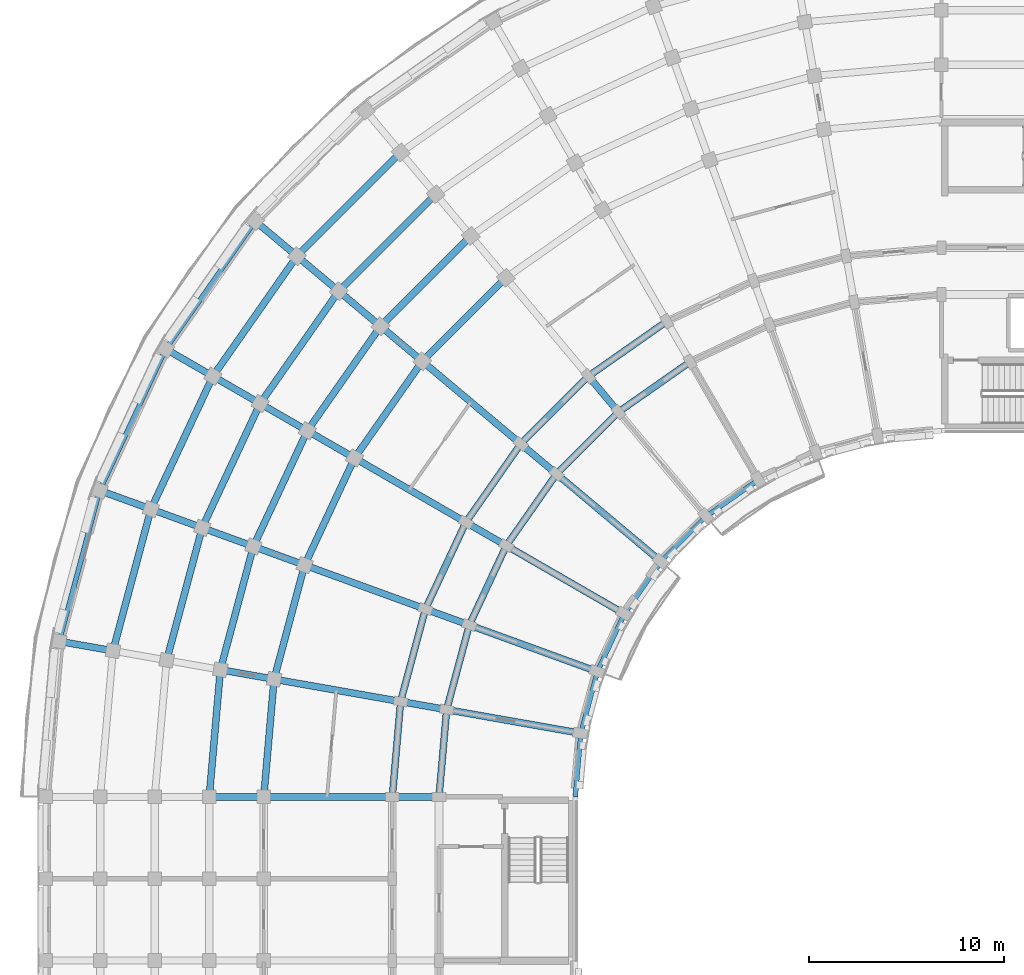
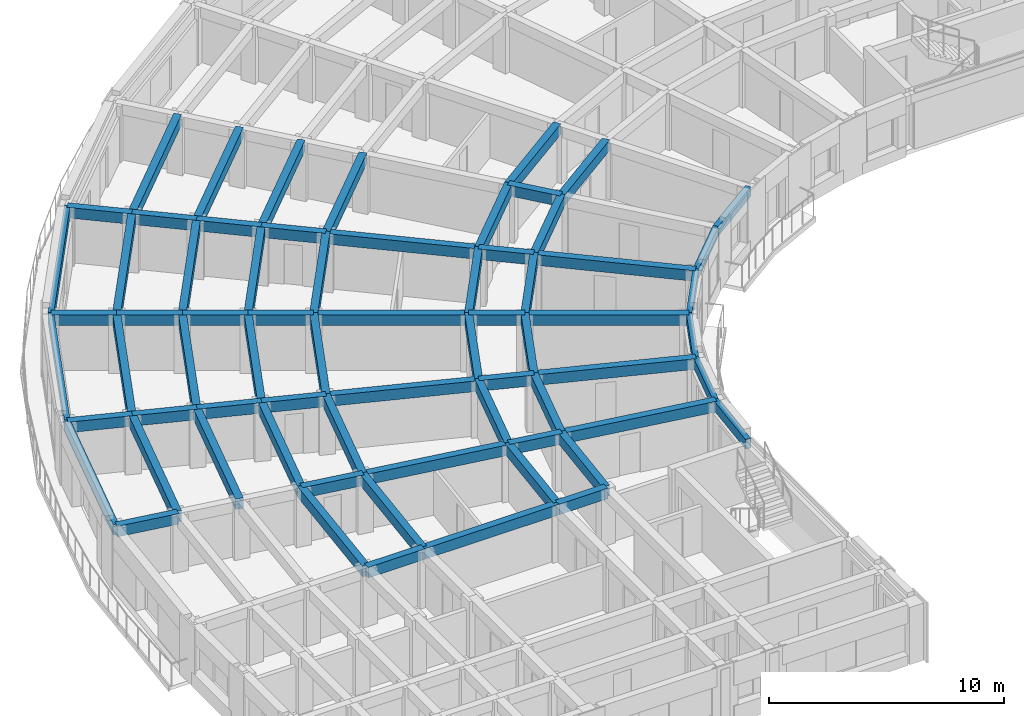
# One storey, part 8 of 57: 69 beams.
"""IFC4 building model written with IfcOpenShell, lengths in metres."""

from ifc_helpers import new_model, si_unit, direction, frame, origin, origin_2d, place, context, subcontext, project, spatial, rectangle, extrude, material, material_profile, profile_set, type_object, element, save


model = new_model("IFC4")

# Units and contexts
model_context = context("Model", 3, precision=1e-05, world=origin(), true_north=direction((0.0, 1.0)))
body_context = subcontext(model_context, "Body", "Model", "MODEL_VIEW")
ifc_project = project(units=[si_unit("LENGTHUNIT", "METRE"), si_unit("AREAUNIT", "SQUARE_METRE"), si_unit("VOLUMEUNIT", "CUBIC_METRE"), si_unit("PLANEANGLEUNIT", "RADIAN"), si_unit("MASSUNIT", "GRAM", prefix="KILO")], contexts=[model_context])

# Site, building, storey
site_placement = place(None, origin())
site = spatial("IfcSite", under=ifc_project, at=site_placement, CompositionType="ELEMENT")
building_placement = place(site_placement, origin())
building = spatial("IfcBuilding", under=site, at=building_placement, Name="Kiranvali Square Residences", CompositionType="ELEMENT")
storey_placement = place(building_placement, frame((0.0, 0.0, 24.449951171875)))
storey = spatial("IfcBuildingStorey", under=building, at=storey_placement, Name="L07", CompositionType="ELEMENT", Elevation=24.449951171875)

# Beams
ifc_material = material(Name="Concrete M40 (40 MPa)", Category="concrete")
ifc_material_profile_1 = material_profile(ifc_material, rectangle(XDim=0.35009765625, YDim=0.550048828125, at=origin_2d()), Name="RC 350x550")
ifc_profile_set_1 = profile_set([ifc_material_profile_1], Name="Concrete M40 (40 MPa)")
beam_type_1 = type_object("IfcBeamType", Name="BM-M40-350x550", PredefinedType="BEAM", material=ifc_profile_set_1)
beam_1_placement = place(storey_placement, frame((35.300048828125, 110.1435546875, 2.655029296875), z_axis=(-0.819155404658, -0.573571637217, 0.0), x_axis=(0.573571637217, -0.819155404658, 0.0)))
element("IfcBeam", 1, at=beam_1_placement, inside=storey, type_object=beam_type_1, Name="L07 beam BM-A-L07-C03-R1", PredefinedType="BEAM", context=body_context, shape_type="SweptSolid", body=[
    extrude(rectangle(XDim=0.35009765625, YDim=0.550048828125, at=origin_2d()), origin(), (0.0, 0.0, 1.0), 4.497314453125),
])
beam_2_placement = place(storey_placement, frame((34.10009765625, 112.221923828125, 2.655029296875), z_axis=(-0.819140911474, -0.573592335331, 0.0), x_axis=(0.573592335331, -0.819140911474, 0.0)))
element("IfcBeam", 2, at=beam_2_placement, inside=storey, type_object=beam_type_1, Name="L07 beam BM-A-L07-C03-R2", PredefinedType="BEAM", context=body_context, shape_type="SweptSolid", body=[
    extrude(rectangle(XDim=0.35009765625, YDim=0.550048828125, at=origin_2d()), origin(), (0.0, 0.0, 1.0), 4.915771484375),
])
beam_3_placement = place(storey_placement, frame((31.615966796875, 107.56396484375, 2.655029296875), z_axis=(-0.707106781187, -0.707106781187, 0.0), x_axis=(0.707106781187, -0.707106781187, 0.0)))
element("IfcBeam", 3, at=beam_3_placement, inside=storey, type_object=beam_type_1, Name="L07 beam BM-A-L07-C04-R1", PredefinedType="BEAM", context=body_context, shape_type="SweptSolid", body=[
    extrude(rectangle(XDim=0.35009765625, YDim=0.550048828125, at=origin_2d()), origin(), (0.0, 0.0, 1.0), 4.4970703125),
])
beam_4_placement = place(storey_placement, frame((30.073486328125, 109.40234375, 2.655029296875), z_axis=(-0.707106781187, -0.707106781187, 0.0), x_axis=(0.707106781187, -0.707106781187, 0.0)))
element("IfcBeam", 4, at=beam_4_placement, inside=storey, type_object=beam_type_1, Name="L07 beam BM-A-L07-C04-R2", PredefinedType="BEAM", context=body_context, shape_type="SweptSolid", body=[
    extrude(rectangle(XDim=0.35009765625, YDim=0.550048828125, at=origin_2d()), origin(), (0.0, 0.0, 1.0), 4.91552734375),
])
beam_5_placement = place(storey_placement, frame((25.8310546875, 114.458251953125, 2.655029296875), z_axis=(-0.707106781187, -0.707106781187, 0.0), x_axis=(0.707106781187, -0.707106781187, 0.0)))
element("IfcBeam", 5, at=beam_5_placement, inside=storey, type_object=beam_type_1, Name="L07 beam BM-A-L07-C04-R3", PredefinedType="BEAM", context=body_context, shape_type="SweptSolid", body=[
    extrude(rectangle(XDim=0.35009765625, YDim=0.550048828125, at=origin_2d()), origin(), (0.0, 0.0, 1.0), 6.06591796875),
])
beam_6_placement = place(storey_placement, frame((24.03125, 116.603271484375, 2.655029296875), z_axis=(-0.707106781187, -0.707106781187, 0.0), x_axis=(0.707106781187, -0.707106781187, 0.0)))
element("IfcBeam", 6, at=beam_6_placement, inside=storey, type_object=beam_type_1, Name="L07 beam BM-A-L07-C04-R4", PredefinedType="BEAM", context=body_context, shape_type="SweptSolid", body=[
    extrude(rectangle(XDim=0.35009765625, YDim=0.550048828125, at=origin_2d()), origin(), (0.0, 0.0, 1.0), 6.55419921875),
])
beam_7_placement = place(storey_placement, frame((22.2314453125, 118.748291015625, 2.655029296875), z_axis=(-0.707106781187, -0.707106781187, 0.0), x_axis=(0.707106781187, -0.707106781187, 0.0)))
element("IfcBeam", 7, at=beam_7_placement, inside=storey, type_object=beam_type_1, Name="L07 beam BM-A-L07-C04-R5", PredefinedType="BEAM", context=body_context, shape_type="SweptSolid", body=[
    extrude(rectangle(XDim=0.35009765625, YDim=0.550048828125, at=origin_2d()), origin(), (0.0, 0.0, 1.0), 7.04248046875),
])
beam_8_placement = place(storey_placement, frame((20.431640625, 120.89306640625, 2.655029296875), z_axis=(-0.707106781187, -0.707106781187, 0.0), x_axis=(0.707106781187, -0.707106781187, 0.0)))
element("IfcBeam", 8, at=beam_8_placement, inside=storey, type_object=beam_type_1, Name="L07 beam BM-A-L07-C04-R6", PredefinedType="BEAM", context=body_context, shape_type="SweptSolid", body=[
    extrude(rectangle(XDim=0.35009765625, YDim=0.550048828125, at=origin_2d()), origin(), (0.0, 0.0, 1.0), 7.5302734375),
])
beam_9_placement = place(storey_placement, frame((28.43603515625, 104.384033203125, 2.655029296875), z_axis=(-0.573571637217, -0.819155404658, 0.0), x_axis=(0.819155404658, -0.573571637217, 0.0)))
element("IfcBeam", 9, at=beam_9_placement, inside=storey, type_object=beam_type_1, Name="L07 beam BM-A-L07-C05-R1", PredefinedType="BEAM", context=body_context, shape_type="SweptSolid", body=[
    extrude(rectangle(XDim=0.35009765625, YDim=0.550048828125, at=origin_2d()), origin(), (0.0, 0.0, 1.0), 4.497314453125),
])
beam_10_placement = place(storey_placement, frame((26.59765625, 105.926513671875, 2.655029296875), z_axis=(-0.573592335331, -0.819140911474, 0.0), x_axis=(0.819140911474, -0.573592335331, 0.0)))
element("IfcBeam", 10, at=beam_10_placement, inside=storey, type_object=beam_type_1, Name="L07 beam BM-A-L07-C05-R2", PredefinedType="BEAM", context=body_context, shape_type="SweptSolid", body=[
    extrude(rectangle(XDim=0.35009765625, YDim=0.550048828125, at=origin_2d()), origin(), (0.0, 0.0, 1.0), 4.915771484375),
])
beam_11_placement = place(storey_placement, frame((21.541748046875, 110.1689453125, 2.655029296875), z_axis=(-0.573594691504, -0.81913926159, 0.0), x_axis=(0.81913926159, -0.573594691504, 0.0)))
element("IfcBeam", 11, at=beam_11_placement, inside=storey, type_object=beam_type_1, Name="L07 beam BM-A-L07-C05-R3", PredefinedType="BEAM", context=body_context, shape_type="SweptSolid", body=[
    extrude(rectangle(XDim=0.35009765625, YDim=0.550048828125, at=origin_2d()), origin(), (0.0, 0.0, 1.0), 6.066162109375),
])
beam_12_placement = place(storey_placement, frame((19.396728515625, 111.96875, 2.655029296875), z_axis=(-0.573587340268, -0.819144409176, 0.0), x_axis=(0.819144409176, -0.573587340268, 0.0)))
element("IfcBeam", 12, at=beam_12_placement, inside=storey, type_object=beam_type_1, Name="L07 beam BM-A-L07-C05-R4", PredefinedType="BEAM", context=body_context, shape_type="SweptSolid", body=[
    extrude(rectangle(XDim=0.35009765625, YDim=0.550048828125, at=origin_2d()), origin(), (0.0, 0.0, 1.0), 6.553955078125),
])
beam_13_placement = place(storey_placement, frame((17.251708984375, 113.7685546875, 2.655029296875), z_axis=(-0.57356471828, -0.819160249246, 0.0), x_axis=(0.819160249246, -0.57356471828, 0.0)))
element("IfcBeam", 13, at=beam_13_placement, inside=storey, type_object=beam_type_1, Name="L07 beam BM-A-L07-C05-R5", PredefinedType="BEAM", context=body_context, shape_type="SweptSolid", body=[
    extrude(rectangle(XDim=0.35009765625, YDim=0.550048828125, at=origin_2d()), origin(), (0.0, 0.0, 1.0), 7.0419921875),
])
beam_14_placement = place(storey_placement, frame((15.10693359375, 115.568359375, 2.655029296875), z_axis=(-0.573588539275, -0.819143569597, 0.0), x_axis=(0.819143569597, -0.573588539275, 0.0)))
element("IfcBeam", 14, at=beam_14_placement, inside=storey, type_object=beam_type_1, Name="L07 beam BM-A-L07-C05-R6", PredefinedType="BEAM", context=body_context, shape_type="SweptSolid", body=[
    extrude(rectangle(XDim=0.35009765625, YDim=0.550048828125, at=origin_2d()), origin(), (0.0, 0.0, 1.0), 7.5302734375),
])
beam_15_placement = place(storey_placement, frame((25.8564453125, 100.699951171875, 2.655029296875), z_axis=(-0.422617978463, -0.906307919131, 0.0), x_axis=(0.906307919131, -0.422617978463, 0.0)))
element("IfcBeam", 15, at=beam_15_placement, inside=storey, type_object=beam_type_1, Name="L07 beam BM-A-L07-C06-R1", PredefinedType="BEAM", context=body_context, shape_type="SweptSolid", body=[
    extrude(rectangle(XDim=0.35009765625, YDim=0.550048828125, at=origin_2d()), origin(), (0.0, 0.0, 1.0), 4.497314453125),
])
beam_16_placement = place(storey_placement, frame((23.778076171875, 101.89990234375, 2.655029296875), z_axis=(-0.422629854778, -0.906302381024, 0.0), x_axis=(0.906302381024, -0.422629854778, 0.0)))
element("IfcBeam", 16, at=beam_16_placement, inside=storey, type_object=beam_type_1, Name="L07 beam BM-A-L07-C06-R2", PredefinedType="BEAM", context=body_context, shape_type="SweptSolid", body=[
    extrude(rectangle(XDim=0.35009765625, YDim=0.550048828125, at=origin_2d()), origin(), (0.0, 0.0, 1.0), 4.915283203125),
])
beam_17_placement = place(storey_placement, frame((18.062255859375, 105.199951171875, 2.655029296875), z_axis=(-0.42260781991, -0.906312656069, 0.0), x_axis=(0.906312656069, -0.42260781991, 0.0)))
element("IfcBeam", 17, at=beam_17_placement, inside=storey, type_object=beam_type_1, Name="L07 beam BM-A-L07-C06-R3", PredefinedType="BEAM", context=body_context, shape_type="SweptSolid", body=[
    extrude(rectangle(XDim=0.35009765625, YDim=0.550048828125, at=origin_2d()), origin(), (0.0, 0.0, 1.0), 6.06591796875),
])
beam_18_placement = place(storey_placement, frame((15.637451171875, 106.60009765625, 2.655029296875), z_axis=(-0.422595876255, -0.906318225223, 0.0), x_axis=(0.906318225223, -0.422595876255, 0.0)))
element("IfcBeam", 18, at=beam_18_placement, inside=storey, type_object=beam_type_1, Name="L07 beam BM-A-L07-C06-R4", PredefinedType="BEAM", context=body_context, shape_type="SweptSolid", body=[
    extrude(rectangle(XDim=0.35009765625, YDim=0.550048828125, at=origin_2d()), origin(), (0.0, 0.0, 1.0), 6.55419921875),
])
beam_19_placement = place(storey_placement, frame((13.212646484375, 108.0, 2.655029296875), z_axis=(-0.422640621205, -0.906297360311, 0.0), x_axis=(0.906297360311, -0.422640621205, 0.0)))
element("IfcBeam", 19, at=beam_19_placement, inside=storey, type_object=beam_type_1, Name="L07 beam BM-A-L07-C06-R5", PredefinedType="BEAM", context=body_context, shape_type="SweptSolid", body=[
    extrude(rectangle(XDim=0.35009765625, YDim=0.550048828125, at=origin_2d()), origin(), (0.0, 0.0, 1.0), 7.042236328125),
])
beam_20_placement = place(storey_placement, frame((10.78759765625, 109.39990234375, 2.655029296875), z_axis=(-0.422613886933, -0.90630982703, 0.0), x_axis=(0.90630982703, -0.422613886933, 0.0)))
element("IfcBeam", 20, at=beam_20_placement, inside=storey, type_object=beam_type_1, Name="L07 beam BM-A-L07-C06-R6", PredefinedType="BEAM", context=body_context, shape_type="SweptSolid", body=[
    extrude(rectangle(XDim=0.35009765625, YDim=0.550048828125, at=origin_2d()), origin(), (0.0, 0.0, 1.0), 7.5302734375),
])
beam_21_placement = place(storey_placement, frame((23.955810546875, 96.6240234375, 2.655029296875), z_axis=(-0.258787642463, -0.965934240054, 0.0), x_axis=(0.965934240054, -0.258787642463, 0.0)))
element("IfcBeam", 21, at=beam_21_placement, inside=storey, type_object=beam_type_1, Name="L07 beam BM-A-L07-C07-R1", PredefinedType="BEAM", context=body_context, shape_type="SweptSolid", body=[
    extrude(rectangle(XDim=0.35009765625, YDim=0.550048828125, at=origin_2d()), origin(), (0.0, 0.0, 1.0), 4.497314453125),
])
beam_22_placement = place(storey_placement, frame((21.70068359375, 97.445068359375, 2.655029296875), z_axis=(-0.258803112091, -0.965930095386, 0.0), x_axis=(0.965930095386, -0.258803112091, 0.0)))
element("IfcBeam", 22, at=beam_22_placement, inside=storey, type_object=beam_type_1, Name="L07 beam BM-A-L07-C07-R2", PredefinedType="BEAM", context=body_context, shape_type="SweptSolid", body=[
    extrude(rectangle(XDim=0.35009765625, YDim=0.550048828125, at=origin_2d()), origin(), (0.0, 0.0, 1.0), 4.915771484375),
])
beam_23_placement = place(storey_placement, frame((15.498779296875, 99.702392578125, 2.655029296875), z_axis=(-0.258827283048, -0.965923618901, 0.0), x_axis=(0.965923618901, -0.258827283048, 0.0)))
element("IfcBeam", 23, at=beam_23_placement, inside=storey, type_object=beam_type_1, Name="L07 beam BM-A-L07-C07-R3", PredefinedType="BEAM", context=body_context, shape_type="SweptSolid", body=[
    extrude(rectangle(XDim=0.35009765625, YDim=0.550048828125, at=origin_2d()), origin(), (0.0, 0.0, 1.0), 6.066162109375),
])
beam_24_placement = place(storey_placement, frame((12.86767578125, 100.659912109375, 2.655029296875), z_axis=(-0.258847178297, -0.965918287583, 0.0), x_axis=(0.965918287583, -0.258847178297, 0.0)))
element("IfcBeam", 24, at=beam_24_placement, inside=storey, type_object=beam_type_1, Name="L07 beam BM-A-L07-C07-R4", PredefinedType="BEAM", context=body_context, shape_type="SweptSolid", body=[
    extrude(rectangle(XDim=0.35009765625, YDim=0.550048828125, at=origin_2d()), origin(), (0.0, 0.0, 1.0), 6.55419921875),
])
beam_25_placement = place(storey_placement, frame((10.236328125, 101.61767578125, 2.655029296875), z_axis=(-0.258799624492, -0.965931029817, 0.0), x_axis=(0.965931029817, -0.258799624492, 0.0)))
element("IfcBeam", 25, at=beam_25_placement, inside=storey, type_object=beam_type_1, Name="L07 beam BM-A-L07-C07-R5", PredefinedType="BEAM", context=body_context, shape_type="SweptSolid", body=[
    extrude(rectangle(XDim=0.35009765625, YDim=0.550048828125, at=origin_2d()), origin(), (0.0, 0.0, 1.0), 7.042236328125),
])
beam_26_placement = place(storey_placement, frame((7.605224609375, 102.5751953125, 2.655029296875), z_axis=(-0.258818733833, -0.965925909693, 0.0), x_axis=(0.965925909693, -0.258818733833, 0.0)))
element("IfcBeam", 26, at=beam_26_placement, inside=storey, type_object=beam_type_1, Name="L07 beam BM-A-L07-C07-R6", PredefinedType="BEAM", context=body_context, shape_type="SweptSolid", body=[
    extrude(rectangle(XDim=0.35009765625, YDim=0.550048828125, at=origin_2d()), origin(), (0.0, 0.0, 1.0), 7.5302734375),
])
beam_27_placement = place(storey_placement, frame((22.7919921875, 92.280029296875, 2.655029296875), z_axis=(-0.087187153726, -0.996191949488, 0.0), x_axis=(0.996191949488, -0.087187153726, 0.0)))
element("IfcBeam", 27, at=beam_27_placement, inside=storey, type_object=beam_type_1, Name="L07 beam BM-A-L07-C08-R1", PredefinedType="BEAM", context=body_context, shape_type="SweptSolid", body=[
    extrude(rectangle(XDim=0.35009765625, YDim=0.550048828125, at=origin_2d()), origin(), (0.0, 0.0, 1.0), 4.4970703125),
])
beam_28_placement = place(storey_placement, frame((20.428466796875, 92.69677734375, 2.655029296875), z_axis=(-0.087167566415, -0.996193663584, 0.0), x_axis=(0.996193663584, -0.087167566415, 0.0)))
element("IfcBeam", 28, at=beam_28_placement, inside=storey, type_object=beam_type_1, Name="L07 beam BM-A-L07-C08-R2", PredefinedType="BEAM", context=body_context, shape_type="SweptSolid", body=[
    extrude(rectangle(XDim=0.35009765625, YDim=0.550048828125, at=origin_2d()), origin(), (0.0, 0.0, 1.0), 4.91552734375),
])
beam_29_placement = place(storey_placement, frame((13.9287109375, 93.843017578125, 2.655029296875), z_axis=(-0.087174938512, -0.996193018494, 0.0), x_axis=(0.996193018494, -0.087174938512, 0.0)))
element("IfcBeam", 29, at=beam_29_placement, inside=storey, type_object=beam_type_1, Name="L07 beam BM-A-L07-C08-R3", PredefinedType="BEAM", context=body_context, shape_type="SweptSolid", body=[
    extrude(rectangle(XDim=0.35009765625, YDim=0.550048828125, at=origin_2d()), origin(), (0.0, 0.0, 1.0), 6.066162109375),
])
beam_30_placement = place(storey_placement, frame((11.171142578125, 94.3291015625, 2.655029296875), z_axis=(-0.0871295204, -0.996196991902, 0.0), x_axis=(0.996196991902, -0.0871295204, 0.0)))
element("IfcBeam", 30, at=beam_30_placement, inside=storey, type_object=beam_type_1, Name="L07 beam BM-A-L07-C08-R4", PredefinedType="BEAM", context=body_context, shape_type="SweptSolid", body=[
    extrude(rectangle(XDim=0.35009765625, YDim=0.550048828125, at=origin_2d()), origin(), (0.0, 0.0, 1.0), 6.553955078125),
])
beam_31_placement = place(storey_placement, frame((31.615966796875, 107.56396484375, 2.655029296875), z_axis=(-0.642762521781, 0.766065493671, 0.0), x_axis=(-0.766065493671, -0.642762521781, 0.0)))
element("IfcBeam", 31, at=beam_31_placement, inside=storey, type_object=beam_type_1, Name="L07 beam BM-A-L07-RAD04-12", PredefinedType="BEAM", context=body_context, shape_type="SweptSolid", body=[
    extrude(rectangle(XDim=0.35009765625, YDim=0.550048828125, at=origin_2d()), origin(), (0.0, 0.0, 1.0), 2.399658203125),
])
beam_32_placement = place(storey_placement, frame((33.79833984375, 99.884521484375, 2.655029296875), z_axis=(-0.766044173478, 0.642787931032, 0.0), x_axis=(-0.642787931032, -0.766044173478, 0.0)))
element("IfcBeam", 32, at=beam_32_placement, inside=storey, type_object=beam_type_1, Name="L07 beam BM-A-L07-RAD05-01", PredefinedType="BEAM", context=body_context, shape_type="SweptSolid", body=[
    extrude(rectangle(XDim=0.35009765625, YDim=0.550048828125, at=origin_2d()), origin(), (0.0, 0.0, 1.0), 7.0),
])
beam_33_placement = place(storey_placement, frame((28.43603515625, 104.384033203125, 2.655029296875), z_axis=(-0.766065493671, 0.642762521781, 0.0), x_axis=(-0.642762521781, -0.766065493671, 0.0)))
element("IfcBeam", 33, at=beam_33_placement, inside=storey, type_object=beam_type_1, Name="L07 beam BM-A-L07-RAD05-12", PredefinedType="BEAM", context=body_context, shape_type="SweptSolid", body=[
    extrude(rectangle(XDim=0.35009765625, YDim=0.550048828125, at=origin_2d()), origin(), (0.0, 0.0, 1.0), 2.399658203125),
])
beam_34_placement = place(storey_placement, frame((26.59765625, 105.926513671875, 2.655029296875), z_axis=(-0.766042881449, 0.642789470807, 0.0), x_axis=(-0.642789470807, -0.766042881449, 0.0)))
element("IfcBeam", 34, at=beam_34_placement, inside=storey, type_object=beam_type_1, Name="L07 beam BM-A-L07-RAD05-23", PredefinedType="BEAM", context=body_context, shape_type="SweptSolid", body=[
    extrude(rectangle(XDim=0.35009765625, YDim=0.550048828125, at=origin_2d()), origin(), (0.0, 0.0, 1.0), 6.60009765625),
])
for number, where, z_axis, x_axis, name in (
    (35, (21.541748046875, 110.1689453125, 2.655029296875), (-0.766058583359, 0.642770757628, 0.0), (-0.642770757628, -0.766058583359, 0.0), "L07 beam BM-A-L07-RAD05-34"),
    (36, (19.396728515625, 111.96875, 2.655029296875), (-0.766058583359, 0.642770757628, 0.0), (-0.642770757628, -0.766058583359, 0.0), "L07 beam BM-A-L07-RAD05-45"),
):
    element("IfcBeam", number, at=place(storey_placement, frame(where, z_axis=z_axis, x_axis=x_axis)), inside=storey, type_object=beam_type_1, Name=name, PredefinedType="BEAM", context=body_context, shape_type="SweptSolid", body=[
        extrude(rectangle(XDim=0.35009765625, YDim=0.550048828125, at=origin_2d()), origin(), (0.0, 0.0, 1.0), 2.800048828125),
    ])
beam_35_placement = place(storey_placement, frame((17.251708984375, 113.7685546875, 2.655029296875), z_axis=(-0.76602255649, 0.642813692253, 0.0), x_axis=(-0.642813692253, -0.76602255649, 0.0)))
element("IfcBeam", 37, at=beam_35_placement, inside=storey, type_object=beam_type_1, Name="L07 beam BM-A-L07-RAD05-56", PredefinedType="BEAM", context=body_context, shape_type="SweptSolid", body=[
    extrude(rectangle(XDim=0.35009765625, YDim=0.550048828125, at=origin_2d()), origin(), (0.0, 0.0, 1.0), 2.7998046875),
])
beam_36_placement = place(storey_placement, frame((15.10693359375, 115.568359375, 2.655029296875), z_axis=(-0.766058583359, 0.642770757628, 0.0), x_axis=(-0.642770757628, -0.766058583359, 0.0)))
element("IfcBeam", 38, at=beam_36_placement, inside=storey, type_object=beam_type_1, Name="L07 beam BM-A-L07-RAD05-67", PredefinedType="BEAM", context=body_context, shape_type="SweptSolid", body=[
    extrude(rectangle(XDim=0.35009765625, YDim=0.550048828125, at=origin_2d()), origin(), (0.0, 0.0, 1.0), 2.800048828125),
])
beam_37_placement = place(storey_placement, frame((31.918701171875, 97.199951171875, 2.655029296875), z_axis=(-0.866028190633, 0.499995173006, 0.0), x_axis=(-0.499995173006, -0.866028190633, 0.0)))
element("IfcBeam", 39, at=beam_37_placement, inside=storey, type_object=beam_type_1, Name="L07 beam BM-A-L07-RAD06-01", PredefinedType="BEAM", context=body_context, shape_type="SweptSolid", body=[
    extrude(rectangle(XDim=0.35009765625, YDim=0.550048828125, at=origin_2d()), origin(), (0.0, 0.0, 1.0), 7.0),
])
beam_38_placement = place(storey_placement, frame((25.8564453125, 100.699951171875, 2.655029296875), z_axis=(-0.866024647952, 0.500001309137, 0.0), x_axis=(-0.500001309137, -0.866024647952, 0.0)))
element("IfcBeam", 40, at=beam_38_placement, inside=storey, type_object=beam_type_1, Name="L07 beam BM-A-L07-RAD06-12", PredefinedType="BEAM", context=body_context, shape_type="SweptSolid", body=[
    extrude(rectangle(XDim=0.35009765625, YDim=0.550048828125, at=origin_2d()), origin(), (0.0, 0.0, 1.0), 2.39990234375),
])
beam_39_placement = place(storey_placement, frame((23.778076171875, 101.89990234375, 2.655029296875), z_axis=(-0.866024194504, 0.500002094529, 0.0), x_axis=(-0.500002094529, -0.866024194504, 0.0)))
element("IfcBeam", 41, at=beam_39_placement, inside=storey, type_object=beam_type_1, Name="L07 beam BM-A-L07-RAD06-23", PredefinedType="BEAM", context=body_context, shape_type="SweptSolid", body=[
    extrude(rectangle(XDim=0.35009765625, YDim=0.550048828125, at=origin_2d()), origin(), (0.0, 0.0, 1.0), 6.60009765625),
])
beam_40_placement = place(storey_placement, frame((18.062255859375, 105.199951171875, 2.655029296875), z_axis=(-0.865996816683, 0.500049511043, 0.0), x_axis=(-0.500049511043, -0.865996816683, 0.0)))
element("IfcBeam", 42, at=beam_40_placement, inside=storey, type_object=beam_type_1, Name="L07 beam BM-A-L07-RAD06-34", PredefinedType="BEAM", context=body_context, shape_type="SweptSolid", body=[
    extrude(rectangle(XDim=0.35009765625, YDim=0.550048828125, at=origin_2d()), origin(), (0.0, 0.0, 1.0), 2.800048828125),
])
beam_41_placement = place(storey_placement, frame((15.637451171875, 106.60009765625, 2.655029296875), z_axis=(-0.866034573852, 0.49998411664, 0.0), x_axis=(-0.49998411664, -0.866034573852, 0.0)))
element("IfcBeam", 43, at=beam_41_placement, inside=storey, type_object=beam_type_1, Name="L07 beam BM-A-L07-RAD06-45", PredefinedType="BEAM", context=body_context, shape_type="SweptSolid", body=[
    extrude(rectangle(XDim=0.35009765625, YDim=0.550048828125, at=origin_2d()), origin(), (0.0, 0.0, 1.0), 2.7998046875),
])
for number, where, z_axis, x_axis, name in (
    (44, (13.212646484375, 108.0, 2.655029296875), (-0.866056369097, 0.49994636267, 0.0), (-0.49994636267, -0.866056369097, 0.0), "L07 beam BM-A-L07-RAD06-56"),
    (45, (10.78759765625, 109.39990234375, 2.655029296875), (-0.865996816683, 0.500049511043, 0.0), (-0.500049511043, -0.865996816683, 0.0), "L07 beam BM-A-L07-RAD06-67"),
):
    element("IfcBeam", number, at=place(storey_placement, frame(where, z_axis=z_axis, x_axis=x_axis)), inside=storey, type_object=beam_type_1, Name=name, PredefinedType="BEAM", context=body_context, shape_type="SweptSolid", body=[
        extrude(rectangle(XDim=0.35009765625, YDim=0.550048828125, at=origin_2d()), origin(), (0.0, 0.0, 1.0), 2.800048828125),
    ])
beam_42_placement = place(storey_placement, frame((30.53369140625, 94.22998046875, 2.655029296875), z_axis=(-0.939697665127, 0.342006283793, 0.0), x_axis=(-0.342006283793, -0.939697665127, 0.0)))
element("IfcBeam", 46, at=beam_42_placement, inside=storey, type_object=beam_type_1, Name="L07 beam BM-A-L07-RAD07-01", PredefinedType="BEAM", context=body_context, shape_type="SweptSolid", body=[
    extrude(rectangle(XDim=0.35009765625, YDim=0.550048828125, at=origin_2d()), origin(), (0.0, 0.0, 1.0), 7.0),
])
beam_43_placement = place(storey_placement, frame((23.955810546875, 96.6240234375, 2.655029296875), z_axis=(-0.939659694648, 0.342110593602, 0.0), x_axis=(-0.342110593602, -0.939659694648, 0.0)))
element("IfcBeam", 47, at=beam_43_placement, inside=storey, type_object=beam_type_1, Name="L07 beam BM-A-L07-RAD07-12", PredefinedType="BEAM", context=body_context, shape_type="SweptSolid", body=[
    extrude(rectangle(XDim=0.35009765625, YDim=0.550048828125, at=origin_2d()), origin(), (0.0, 0.0, 1.0), 2.39990234375),
])
beam_44_placement = place(storey_placement, frame((21.70068359375, 97.445068359375, 2.655029296875), z_axis=(-0.939691858249, 0.342022238372, 0.0), x_axis=(-0.342022238372, -0.939691858249, 0.0)))
element("IfcBeam", 48, at=beam_44_placement, inside=storey, type_object=beam_type_1, Name="L07 beam BM-A-L07-RAD07-23", PredefinedType="BEAM", context=body_context, shape_type="SweptSolid", body=[
    extrude(rectangle(XDim=0.35009765625, YDim=0.550048828125, at=origin_2d()), origin(), (0.0, 0.0, 1.0), 6.599853515625),
])
beam_45_placement = place(storey_placement, frame((15.498779296875, 99.702392578125, 2.655029296875), z_axis=(-0.93970683422, 0.341981089711, 0.0), x_axis=(-0.341981089711, -0.93970683422, 0.0)))
element("IfcBeam", 49, at=beam_45_placement, inside=storey, type_object=beam_type_1, Name="L07 beam BM-A-L07-RAD07-34", PredefinedType="BEAM", context=body_context, shape_type="SweptSolid", body=[
    extrude(rectangle(XDim=0.35009765625, YDim=0.550048828125, at=origin_2d()), origin(), (0.0, 0.0, 1.0), 2.7998046875),
])
beam_46_placement = place(storey_placement, frame((12.86767578125, 100.659912109375, 2.655029296875), z_axis=(-0.939689011208, 0.342030060398, 0.0), x_axis=(-0.342030060398, -0.939689011208, 0.0)))
element("IfcBeam", 50, at=beam_46_placement, inside=storey, type_object=beam_type_1, Name="L07 beam BM-A-L07-RAD07-45", PredefinedType="BEAM", context=body_context, shape_type="SweptSolid", body=[
    extrude(rectangle(XDim=0.35009765625, YDim=0.550048828125, at=origin_2d()), origin(), (0.0, 0.0, 1.0), 2.80029296875),
])
beam_47_placement = place(storey_placement, frame((10.236328125, 101.61767578125, 2.655029296875), z_axis=(-0.93970683422, 0.341981089711, 0.0), x_axis=(-0.341981089711, -0.93970683422, 0.0)))
element("IfcBeam", 51, at=beam_47_placement, inside=storey, type_object=beam_type_1, Name="L07 beam BM-A-L07-RAD07-56", PredefinedType="BEAM", context=body_context, shape_type="SweptSolid", body=[
    extrude(rectangle(XDim=0.35009765625, YDim=0.550048828125, at=origin_2d()), origin(), (0.0, 0.0, 1.0), 2.7998046875),
])
beam_48_placement = place(storey_placement, frame((7.605224609375, 102.5751953125, 2.655029296875), z_axis=(-0.939678810556, 0.342058084236, 0.0), x_axis=(-0.342058084236, -0.939678810556, 0.0)))
element("IfcBeam", 52, at=beam_48_placement, inside=storey, type_object=beam_type_1, Name="L07 beam BM-A-L07-RAD07-67", PredefinedType="BEAM", context=body_context, shape_type="SweptSolid", body=[
    extrude(rectangle(XDim=0.35009765625, YDim=0.550048828125, at=origin_2d()), origin(), (0.0, 0.0, 1.0), 2.800048828125),
])
beam_49_placement = place(storey_placement, frame((29.685546875, 91.064697265625, 2.655029296875), z_axis=(-0.984812337125, 0.173622177865, 0.0), x_axis=(-0.173622177865, -0.984812337125, 0.0)))
element("IfcBeam", 53, at=beam_49_placement, inside=storey, type_object=beam_type_1, Name="L07 beam BM-A-L07-RAD08-01", PredefinedType="BEAM", context=body_context, shape_type="SweptSolid", body=[
    extrude(rectangle(XDim=0.35009765625, YDim=0.550048828125, at=origin_2d()), origin(), (0.0, 0.0, 1.0), 6.999755859375),
])
beam_50_placement = place(storey_placement, frame((22.7919921875, 92.280029296875, 2.655029296875), z_axis=(-0.984808127031, 0.173646056486, 0.0), x_axis=(-0.173646056486, -0.984808127031, 0.0)))
element("IfcBeam", 54, at=beam_50_placement, inside=storey, type_object=beam_type_1, Name="L07 beam BM-A-L07-RAD08-12", PredefinedType="BEAM", context=body_context, shape_type="SweptSolid", body=[
    extrude(rectangle(XDim=0.35009765625, YDim=0.550048828125, at=origin_2d()), origin(), (0.0, 0.0, 1.0), 2.39990234375),
])
beam_51_placement = place(storey_placement, frame((20.428466796875, 92.69677734375, 2.655029296875), z_axis=(-0.984803661269, 0.173671381499, 0.0), x_axis=(-0.173671381499, -0.984803661269, 0.0)))
element("IfcBeam", 55, at=beam_51_placement, inside=storey, type_object=beam_type_1, Name="L07 beam BM-A-L07-RAD08-23", PredefinedType="BEAM", context=body_context, shape_type="SweptSolid", body=[
    extrude(rectangle(XDim=0.35009765625, YDim=0.550048828125, at=origin_2d()), origin(), (0.0, 0.0, 1.0), 6.60009765625),
])
beam_52_placement = place(storey_placement, frame((13.9287109375, 93.843017578125, 2.655029296875), z_axis=(-0.984816895441, 0.173596320392, 0.0), x_axis=(-0.173596320392, -0.984816895441, 0.0)))
element("IfcBeam", 56, at=beam_52_placement, inside=storey, type_object=beam_type_1, Name="L07 beam BM-A-L07-RAD08-34", PredefinedType="BEAM", context=body_context, shape_type="SweptSolid", body=[
    extrude(rectangle(XDim=0.35009765625, YDim=0.550048828125, at=origin_2d()), origin(), (0.0, 0.0, 1.0), 2.800048828125),
])
beam_53_placement = place(storey_placement, frame((5.65625, 95.301513671875, 2.655029296875), z_axis=(-0.984799355489, 0.173695795656, 0.0), x_axis=(-0.173695795656, -0.984799355489, 0.0)))
element("IfcBeam", 57, at=beam_53_placement, inside=storey, type_object=beam_type_1, Name="L07 beam BM-A-L07-RAD08-67", PredefinedType="BEAM", context=body_context, shape_type="SweptSolid", body=[
    extrude(rectangle(XDim=0.35009765625, YDim=0.550048828125, at=origin_2d()), origin(), (0.0, 0.0, 1.0), 2.7998046875),
])
beam_54_placement = place(storey_placement, frame((22.39990234375, 87.800048828125, 2.655029296875), z_axis=(-1.0, 0.0, 0.0), x_axis=(0.0, -1.0, 0.0)))
element("IfcBeam", 58, at=beam_54_placement, inside=storey, type_object=beam_type_1, Name="L07 beam BM-A-L07-A2T0-12", PredefinedType="BEAM", context=body_context, shape_type="SweptSolid", body=[
    extrude(rectangle(XDim=0.35009765625, YDim=0.550048828125, at=origin_2d()), origin(), (0.0, 0.0, 1.0), 2.39990234375),
])
beam_55_placement = place(storey_placement, frame((20.0, 87.800048828125, 2.655029296875), z_axis=(-1.0, 0.0, 0.0), x_axis=(0.0, -1.0, 0.0)))
element("IfcBeam", 59, at=beam_55_placement, inside=storey, type_object=beam_type_1, Name="L07 beam BM-A-L07-A2T0-23", PredefinedType="BEAM", context=body_context, shape_type="SweptSolid", body=[
    extrude(rectangle(XDim=0.35009765625, YDim=0.550048828125, at=origin_2d()), origin(), (0.0, 0.0, 1.0), 6.60009765625),
])
beam_56_placement = place(storey_placement, frame((13.39990234375, 87.800048828125, 2.655029296875), z_axis=(-1.0, 0.0, 0.0), x_axis=(0.0, -1.0, 0.0)))
element("IfcBeam", 60, at=beam_56_placement, inside=storey, type_object=beam_type_1, Name="L07 beam BM-A-L07-A2T0-34", PredefinedType="BEAM", context=body_context, shape_type="SweptSolid", body=[
    extrude(rectangle(XDim=0.35009765625, YDim=0.550048828125, at=origin_2d()), origin(), (0.0, 0.0, 1.0), 2.7998046875),
])
ifc_material_profile_2 = material_profile(ifc_material, rectangle(XDim=0.25, YDim=0.5, at=origin_2d()), Name="RC 250x500")
ifc_profile_set_2 = profile_set([ifc_material_profile_2], Name="Concrete M40 (40 MPa)")
beam_type_2 = type_object("IfcBeamType", Name="SPN-M40-250x500", PredefinedType="SPANDREL", material=ifc_profile_set_2)
beam_57_placement = place(storey_placement, frame((38.800048828125, 104.081298828125, 2.679931640625), z_axis=(-0.81916891812, -0.573552337269, 0.0), x_axis=(0.573552337269, -0.81916891812, 0.0)))
element("IfcBeam", 61, at=beam_57_placement, inside=storey, type_object=beam_type_2, Name="L07 beam BM-A-L07-C03-R0", PredefinedType="SPANDREL", context=body_context, shape_type="SweptSolid", body=[
    extrude(rectangle(XDim=0.25, YDim=0.5, at=origin_2d()), origin(), (0.0, 0.0, 1.0), 3.277099609375),
])
beam_58_placement = place(storey_placement, frame((36.115478515625, 102.20166015625, 2.679931640625), z_axis=(-0.707106781187, -0.707106781187, 0.0), x_axis=(0.707106781187, -0.707106781187, 0.0)))
element("IfcBeam", 62, at=beam_58_placement, inside=storey, type_object=beam_type_2, Name="L07 beam BM-A-L07-C04-R0", PredefinedType="SPANDREL", context=body_context, shape_type="SweptSolid", body=[
    extrude(rectangle(XDim=0.25, YDim=0.5, at=origin_2d()), origin(), (0.0, 0.0, 1.0), 3.27685546875),
])
for number, where, z_axis, x_axis, name in (
    (63, (33.79833984375, 99.884521484375, 2.679931640625), (-0.573552337269, -0.81916891812, 0.0), (0.81916891812, -0.573552337269, 0.0), "L07 beam BM-A-L07-C05-R0"),
    (64, (31.918701171875, 97.199951171875, 2.679931640625), (-0.422640740585, -0.90629730464, 0.0), (0.90629730464, -0.422640740585, 0.0), "L07 beam BM-A-L07-C06-R0"),
):
    element("IfcBeam", number, at=place(storey_placement, frame(where, z_axis=z_axis, x_axis=x_axis)), inside=storey, type_object=beam_type_2, Name=name, PredefinedType="SPANDREL", context=body_context, shape_type="SweptSolid", body=[
        extrude(rectangle(XDim=0.25, YDim=0.5, at=origin_2d()), origin(), (0.0, 0.0, 1.0), 3.277099609375),
    ])
beam_59_placement = place(storey_placement, frame((30.53369140625, 94.22998046875, 2.679931640625), z_axis=(-0.258821736607, -0.965925105099, 0.0), x_axis=(0.965925105099, -0.258821736607, 0.0)))
element("IfcBeam", 65, at=beam_59_placement, inside=storey, type_object=beam_type_2, Name="L07 beam BM-A-L07-C07-R0", PredefinedType="SPANDREL", context=body_context, shape_type="SweptSolid", body=[
    extrude(rectangle(XDim=0.25, YDim=0.5, at=origin_2d()), origin(), (0.0, 0.0, 1.0), 3.27685546875),
])
beam_60_placement = place(storey_placement, frame((29.685546875, 91.064697265625, 2.679931640625), z_axis=(-0.087163253657, -0.996194040944, 0.0), x_axis=(0.996194040944, -0.087163253657, 0.0)))
element("IfcBeam", 66, at=beam_60_placement, inside=storey, type_object=beam_type_2, Name="L07 beam BM-A-L07-C08-R0", PredefinedType="SPANDREL", context=body_context, shape_type="SweptSolid", body=[
    extrude(rectangle(XDim=0.25, YDim=0.5, at=origin_2d()), origin(), (0.0, 0.0, 1.0), 3.277099609375),
])
ifc_material_profile_3 = material_profile(ifc_material, rectangle(XDim=0.25, YDim=0.550048828125, at=origin_2d()), Name="RC 250x550")
ifc_profile_set_3 = profile_set([ifc_material_profile_3], Name="Concrete M40 (40 MPa)")
beam_type_3 = type_object("IfcBeamType", Name="SPN-M40-250x550", PredefinedType="SPANDREL", material=ifc_profile_set_3)
for number, where, z_axis, x_axis, name in (
    (67, (12.9619140625, 117.3681640625, 2.655029296875), (-0.573582904791, -0.819147515001, 0.0), (0.819147515001, -0.573582904791, 0.0), "L07 beam BM-A-L07-C05-R7"),
    (68, (8.36279296875, 110.800048828125, 2.655029296875), (-0.422615416827, -0.906309113636, 0.0), (0.906309113636, -0.422615416827, 0.0), "L07 beam BM-A-L07-C06-R7"),
    (69, (4.97412109375, 103.532958984375, 2.655029296875), (-0.258807108475, -0.96592902462, 0.0), (0.96592902462, -0.258807108475, 0.0), "L07 beam BM-A-L07-C07-R7"),
):
    element("IfcBeam", number, at=place(storey_placement, frame(where, z_axis=z_axis, x_axis=x_axis)), inside=storey, type_object=beam_type_3, Name=name, PredefinedType="SPANDREL", context=body_context, shape_type="SweptSolid", body=[
        extrude(rectangle(XDim=0.25, YDim=0.550048828125, at=origin_2d()), origin(), (0.0, 0.0, 1.0), 8.018310546875),
    ])

save(model, "model.ifc")
